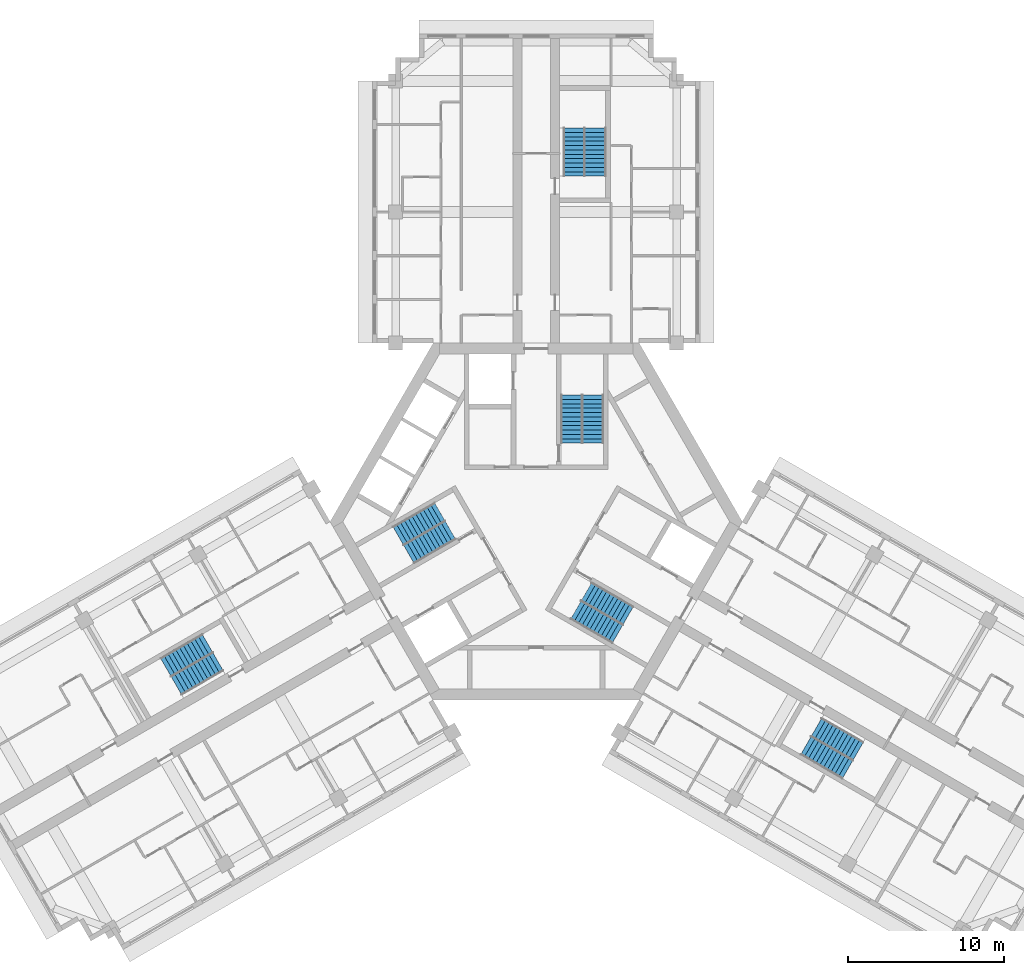
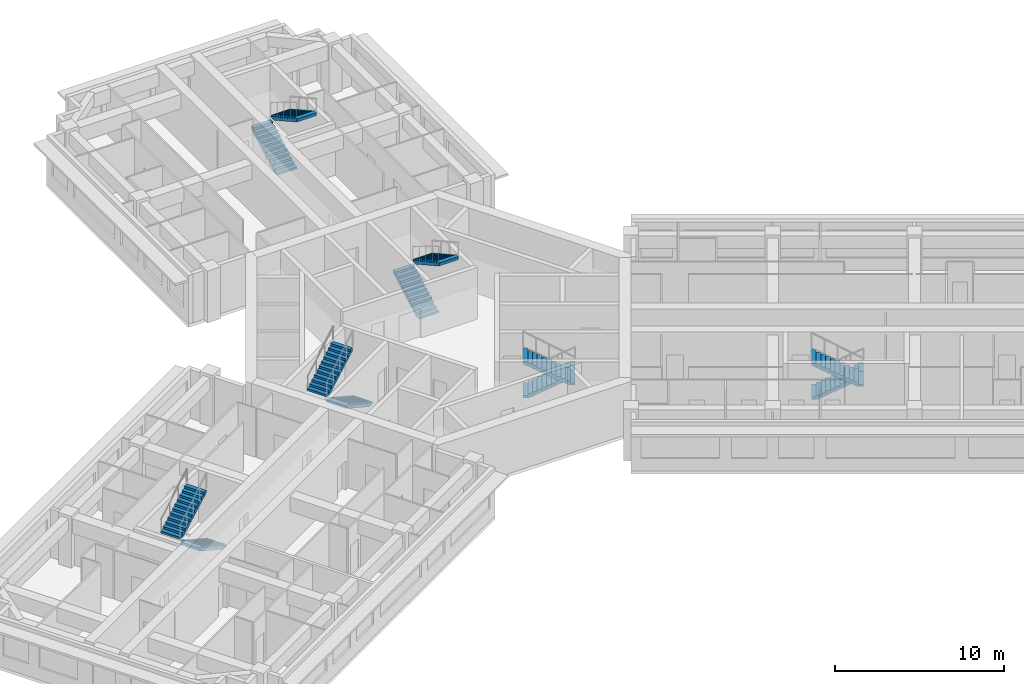
# One storey, part 10 of 11: 12 stair flights, 6 elements without a shape of their own.
"""IFC4 building model written with IfcOpenShell, lengths in metres."""

from ifc_helpers import new_model, si_unit, direction, frame, origin, place, context, subcontext, project, spatial, polyline, outline, extrude, material, type_object, element, aggregate, save


model = new_model("IFC4")

# Units and contexts
model_context = context("Model", 3, precision=1e-05, world=origin(), true_north=direction((0.0, 1.0)))
body_context = subcontext(model_context, "Body", "Model", "MODEL_VIEW")
ifc_project = project(units=[si_unit("LENGTHUNIT", "METRE"), si_unit("AREAUNIT", "SQUARE_METRE"), si_unit("VOLUMEUNIT", "CUBIC_METRE"), si_unit("PLANEANGLEUNIT", "RADIAN"), si_unit("MASSUNIT", "GRAM", prefix="KILO")], contexts=[model_context])

# Site, building, storey
site_placement = place(None, origin())
site = spatial("IfcSite", under=ifc_project, at=site_placement, CompositionType="ELEMENT")
building_placement = place(site_placement, origin())
building = spatial("IfcBuilding", under=site, at=building_placement, Name="Impinga Residences", CompositionType="ELEMENT")
storey_placement = place(building_placement, frame((0.0, 0.0, 207.25)))
storey = spatial("IfcBuildingStorey", under=building, at=storey_placement, Name="L51", CompositionType="ELEMENT", Elevation=207.25)

# Stair, stair flights
ifc_material = material(Name="Concrete C40/50", Category="concrete")
stair_type_1 = type_object("IfcStairType", Name="STR core stair 3750 storey, 24 risers", PredefinedType="HALF_TURN_STAIR", material=ifc_material)
stair_1_placement = place(storey_placement, origin())
stair_1 = element("IfcStair", 1, at=stair_1_placement, inside=storey, type_object=stair_type_1, Name="Stair ST1 L51", PredefinedType="HALF_TURN_STAIR")
stair_flight_type = type_object("IfcStairFlightType", Name="SF 12 risers of 156", PredefinedType="STRAIGHT", material=ifc_material)
stair_flight_1_placement = place(storey_placement, frame((2.27490234375, 5.030029296875, 0.0), z_axis=(0.0, 0.0, 1.0), x_axis=(0.0, 1.0, 0.0)))
stair_flight_1 = element("IfcStairFlight", 2, at=stair_flight_1_placement, type_object=stair_flight_type, Name="ST1 flight 1", NumberOfRisers=12, NumberOfTreads=11, PredefinedType="STRAIGHT", RiserHeight=0.15625, TreadLength=0.28, context=body_context, shape_type="SweptSolid", body=[
    extrude(outline(polyline([(0.0, 0.0), (0.0, 0.15625), (0.280029296875, 0.15625), (0.280029296875, 0.3125), (0.56005859375, 0.3125), (0.56005859375, 0.46875), (0.840087890625, 0.46875), (0.840087890625, 0.625), (1.1201171875, 0.625), (1.1201171875, 0.78125), (1.39990234375, 0.78125), (1.39990234375, 0.9375), (1.679931640625, 0.9375), (1.679931640625, 1.09375), (1.9599609375, 1.09375), (1.9599609375, 1.25), (2.239990234375, 1.25), (2.239990234375, 1.40625), (2.52001953125, 1.40625), (2.52001953125, 1.5625), (2.800048828125, 1.5625), (2.800048828125, 1.71875), (3.080078125, 1.71875), (3.080078125, 1.875), (3.080078125, 1.5126953125), (0.369140625, 0.0), (0.0, 0.0)])), frame((0.0, 0.675048828125, 0.0), z_axis=(0.0, -1.0, 0.0), x_axis=(1.0, 0.0, 0.0)), (0.0, 0.0, 1.0), 1.35009765625),
])
stair_flight_2_placement = place(storey_placement, frame((3.625, 8.110107421875, 1.875), z_axis=(0.0, 0.0, 1.0), x_axis=(0.0, -1.0, 0.0)))
stair_flight_2 = element("IfcStairFlight", 3, at=stair_flight_2_placement, type_object=stair_flight_type, Name="ST1 flight 2", NumberOfRisers=12, NumberOfTreads=11, PredefinedType="STRAIGHT", RiserHeight=0.15625, TreadLength=0.28, context=body_context, shape_type="SweptSolid", body=[
    extrude(outline(polyline([(0.0, 0.0), (0.0, 0.15625), (0.280029296875, 0.15625), (0.280029296875, 0.3125), (0.56005859375, 0.3125), (0.56005859375, 0.46875), (0.840087890625, 0.46875), (0.840087890625, 0.625), (1.1201171875, 0.625), (1.1201171875, 0.78125), (1.39990234375, 0.78125), (1.39990234375, 0.9375), (1.679931640625, 0.9375), (1.679931640625, 1.09375), (1.9599609375, 1.09375), (1.9599609375, 1.25), (2.239990234375, 1.25), (2.239990234375, 1.40625), (2.52001953125, 1.40625), (2.52001953125, 1.5625), (2.800048828125, 1.5625), (2.800048828125, 1.71875), (3.080078125, 1.71875), (3.080078125, 1.875), (3.080078125, 1.5126953125), (0.369140625, 0.0), (0.0, 0.0)])), frame((0.0, 0.675048828125, 0.0), z_axis=(0.0, -1.0, 0.0), x_axis=(1.0, 0.0, 0.0)), (0.0, 0.0, 1.0), 1.35009765625),
])
aggregate(stair_1, [stair_flight_1, stair_flight_2])

stair_2_placement = place(storey_placement, origin())
stair_2 = element("IfcStair", 4, at=stair_2_placement, inside=storey, type_object=stair_type_1, Name="Stair ST2 L51", PredefinedType="HALF_TURN_STAIR")
stair_flight_3_placement = place(storey_placement, frame((-5.49365234375, -0.544677734375, 0.0), z_axis=(0.0, 0.0, 1.0), x_axis=(-0.866025403784, -0.5, 0.0)))
stair_flight_3 = element("IfcStairFlight", 5, at=stair_flight_3_placement, type_object=stair_flight_type, Name="ST2 flight 1", NumberOfRisers=12, NumberOfTreads=11, PredefinedType="STRAIGHT", RiserHeight=0.15625, TreadLength=0.28, context=body_context, shape_type="SweptSolid", body=[
    extrude(outline(polyline([(0.0, 0.0), (0.0, 0.15625), (0.280029296875, 0.15625), (0.280029296875, 0.3125), (0.56005859375, 0.3125), (0.56005859375, 0.46875), (0.840087890625, 0.46875), (0.840087890625, 0.625), (1.1201171875, 0.625), (1.1201171875, 0.78125), (1.39990234375, 0.78125), (1.39990234375, 0.9375), (1.679931640625, 0.9375), (1.679931640625, 1.09375), (1.9599609375, 1.09375), (1.9599609375, 1.25), (2.239990234375, 1.25), (2.239990234375, 1.40625), (2.52001953125, 1.40625), (2.52001953125, 1.5625), (2.800048828125, 1.5625), (2.800048828125, 1.71875), (3.080078125, 1.71875), (3.080078125, 1.875), (3.080078125, 1.5126953125), (0.369140625, 0.0), (0.0, 0.0)])), frame((0.0, 0.675048828125, 0.0), z_axis=(0.0, -1.0, 0.0), x_axis=(1.0, 0.0, 0.0)), (0.0, 0.0, 1.0), 1.35009765625),
])
stair_flight_4_placement = place(storey_placement, frame((-8.8359375, -0.915771484375, 1.875), z_axis=(0.0, 0.0, 1.0), x_axis=(0.866025403784, 0.5, 0.0)))
stair_flight_4 = element("IfcStairFlight", 6, at=stair_flight_4_placement, type_object=stair_flight_type, Name="ST2 flight 2", NumberOfRisers=12, NumberOfTreads=11, PredefinedType="STRAIGHT", RiserHeight=0.15625, TreadLength=0.28, context=body_context, shape_type="SweptSolid", body=[
    extrude(outline(polyline([(0.0, 0.0), (0.0, 0.15625), (0.280029296875, 0.15625), (0.280029296875, 0.3125), (0.56005859375, 0.3125), (0.56005859375, 0.46875), (0.840087890625, 0.46875), (0.840087890625, 0.625), (1.1201171875, 0.625), (1.1201171875, 0.78125), (1.39990234375, 0.78125), (1.39990234375, 0.9375), (1.679931640625, 0.9375), (1.679931640625, 1.09375), (1.9599609375, 1.09375), (1.9599609375, 1.25), (2.239990234375, 1.25), (2.239990234375, 1.40625), (2.52001953125, 1.40625), (2.52001953125, 1.5625), (2.800048828125, 1.5625), (2.800048828125, 1.71875), (3.080078125, 1.71875), (3.080078125, 1.875), (3.080078125, 1.5126953125), (0.369140625, 0.0), (0.0, 0.0)])), frame((0.0, 0.675048828125, 0.0), z_axis=(0.0, -1.0, 0.0), x_axis=(1.0, 0.0, 0.0)), (0.0, 0.0, 1.0), 1.35009765625),
])
aggregate(stair_2, [stair_flight_3, stair_flight_4])

stair_3_placement = place(storey_placement, origin())
stair_3 = element("IfcStair", 7, at=stair_3_placement, inside=storey, type_object=stair_type_1, Name="Stair ST3 L51", PredefinedType="HALF_TURN_STAIR")
stair_flight_5_placement = place(storey_placement, frame((3.218505859375, -4.485107421875, 0.0), z_axis=(0.0, 0.0, 1.0), x_axis=(0.866025403784, -0.5, 0.0)))
stair_flight_5 = element("IfcStairFlight", 8, at=stair_flight_5_placement, type_object=stair_flight_type, Name="ST3 flight 1", NumberOfRisers=12, NumberOfTreads=11, PredefinedType="STRAIGHT", RiserHeight=0.15625, TreadLength=0.28, context=body_context, shape_type="SweptSolid", body=[
    extrude(outline(polyline([(0.0, 0.0), (0.0, 0.15625), (0.280029296875, 0.15625), (0.280029296875, 0.3125), (0.56005859375, 0.3125), (0.56005859375, 0.46875), (0.840087890625, 0.46875), (0.840087890625, 0.625), (1.1201171875, 0.625), (1.1201171875, 0.78125), (1.39990234375, 0.78125), (1.39990234375, 0.9375), (1.679931640625, 0.9375), (1.679931640625, 1.09375), (1.9599609375, 1.09375), (1.9599609375, 1.25), (2.239990234375, 1.25), (2.239990234375, 1.40625), (2.52001953125, 1.40625), (2.52001953125, 1.5625), (2.800048828125, 1.5625), (2.800048828125, 1.71875), (3.080078125, 1.71875), (3.080078125, 1.875), (3.080078125, 1.5126953125), (0.369140625, 0.0), (0.0, 0.0)])), frame((0.0, 0.675048828125, 0.0), z_axis=(0.0, -1.0, 0.0), x_axis=(1.0, 0.0, 0.0)), (0.0, 0.0, 1.0), 1.35009765625),
])
stair_flight_6_placement = place(storey_placement, frame((5.2109375, -7.1943359375, 1.875), z_axis=(0.0, 0.0, 1.0), x_axis=(-0.866025403784, 0.5, 0.0)))
stair_flight_6 = element("IfcStairFlight", 9, at=stair_flight_6_placement, type_object=stair_flight_type, Name="ST3 flight 2", NumberOfRisers=12, NumberOfTreads=11, PredefinedType="STRAIGHT", RiserHeight=0.15625, TreadLength=0.28, context=body_context, shape_type="SweptSolid", body=[
    extrude(outline(polyline([(0.0, 0.0), (0.0, 0.15625), (0.280029296875, 0.15625), (0.280029296875, 0.3125), (0.56005859375, 0.3125), (0.56005859375, 0.46875), (0.840087890625, 0.46875), (0.840087890625, 0.625), (1.1201171875, 0.625), (1.1201171875, 0.78125), (1.39990234375, 0.78125), (1.39990234375, 0.9375), (1.679931640625, 0.9375), (1.679931640625, 1.09375), (1.9599609375, 1.09375), (1.9599609375, 1.25), (2.239990234375, 1.25), (2.239990234375, 1.40625), (2.52001953125, 1.40625), (2.52001953125, 1.5625), (2.800048828125, 1.5625), (2.800048828125, 1.71875), (3.080078125, 1.71875), (3.080078125, 1.875), (3.080078125, 1.5126953125), (0.369140625, 0.0), (0.0, 0.0)])), frame((0.0, 0.675048828125, 0.0), z_axis=(0.0, -1.0, 0.0), x_axis=(1.0, 0.0, 0.0)), (0.0, 0.0, 1.0), 1.35009765625),
])
aggregate(stair_3, [stair_flight_5, stair_flight_6])

stair_type_2 = type_object("IfcStairType", Name="STR wing stair 3750 storey, 24 risers", PredefinedType="HALF_TURN_STAIR", material=ifc_material)
stair_4_placement = place(storey_placement, origin())
stair_4 = element("IfcStair", 10, at=stair_4_placement, inside=storey, type_object=stair_type_2, Name="Stair WS1 L51", PredefinedType="HALF_TURN_STAIR")
stair_flight_7_placement = place(storey_placement, frame((2.425048828125, 22.131591796875, 0.0), z_axis=(0.0, 0.0, 1.0), x_axis=(0.0, 1.0, 0.0)))
stair_flight_7 = element("IfcStairFlight", 11, at=stair_flight_7_placement, type_object=stair_flight_type, Name="WS1 flight 1", NumberOfRisers=12, NumberOfTreads=11, PredefinedType="STRAIGHT", RiserHeight=0.15625, TreadLength=0.28, context=body_context, shape_type="SweptSolid", body=[
    extrude(outline(polyline([(0.0, 0.0), (0.0, 0.15625), (0.280029296875, 0.15625), (0.280029296875, 0.3125), (0.56005859375, 0.3125), (0.56005859375, 0.46875), (0.840087890625, 0.46875), (0.840087890625, 0.625), (1.1201171875, 0.625), (1.1201171875, 0.78125), (1.39990234375, 0.78125), (1.39990234375, 0.9375), (1.679931640625, 0.9375), (1.679931640625, 1.09375), (1.9599609375, 1.09375), (1.9599609375, 1.25), (2.239990234375, 1.25), (2.239990234375, 1.40625), (2.52001953125, 1.40625), (2.52001953125, 1.5625), (2.800048828125, 1.5625), (2.800048828125, 1.71875), (3.080078125, 1.71875), (3.080078125, 1.875), (3.080078125, 1.5126953125), (0.369140625, 0.0), (0.0, 0.0)])), frame((0.0, 0.675048828125, 0.0), z_axis=(0.0, -1.0, 0.0), x_axis=(1.0, 0.0, 0.0)), (0.0, 0.0, 1.0), 1.35009765625),
])
stair_flight_8_placement = place(storey_placement, frame((3.77490234375, 25.21142578125, 1.875), z_axis=(0.0, 0.0, 1.0), x_axis=(0.0, -1.0, 0.0)))
stair_flight_8 = element("IfcStairFlight", 12, at=stair_flight_8_placement, type_object=stair_flight_type, Name="WS1 flight 2", NumberOfRisers=12, NumberOfTreads=11, PredefinedType="STRAIGHT", RiserHeight=0.15625, TreadLength=0.28, context=body_context, shape_type="SweptSolid", body=[
    extrude(outline(polyline([(0.0, 0.0), (0.0, 0.15625), (0.280029296875, 0.15625), (0.280029296875, 0.3125), (0.56005859375, 0.3125), (0.56005859375, 0.46875), (0.840087890625, 0.46875), (0.840087890625, 0.625), (1.1201171875, 0.625), (1.1201171875, 0.78125), (1.39990234375, 0.78125), (1.39990234375, 0.9375), (1.679931640625, 0.9375), (1.679931640625, 1.09375), (1.9599609375, 1.09375), (1.9599609375, 1.25), (2.239990234375, 1.25), (2.239990234375, 1.40625), (2.52001953125, 1.40625), (2.52001953125, 1.5625), (2.800048828125, 1.5625), (2.800048828125, 1.71875), (3.080078125, 1.71875), (3.080078125, 1.875), (3.080078125, 1.5126953125), (0.369140625, 0.0), (0.0, 0.0)])), frame((0.0, 0.675048828125, 0.0), z_axis=(0.0, -1.0, 0.0), x_axis=(1.0, 0.0, 0.0)), (0.0, 0.0, 1.0), 1.35009765625),
])
aggregate(stair_4, [stair_flight_7, stair_flight_8])

stair_5_placement = place(storey_placement, origin())
stair_5 = element("IfcStair", 13, at=stair_5_placement, inside=storey, type_object=stair_type_2, Name="Stair WS2 L51", PredefinedType="HALF_TURN_STAIR")
stair_flight_9_placement = place(storey_placement, frame((-20.37890625, -8.965576171875, 0.0), z_axis=(0.0, 0.0, 1.0), x_axis=(-0.866025403784, -0.5, 0.0)))
stair_flight_9 = element("IfcStairFlight", 14, at=stair_flight_9_placement, type_object=stair_flight_type, Name="WS2 flight 1", NumberOfRisers=12, NumberOfTreads=11, PredefinedType="STRAIGHT", RiserHeight=0.15625, TreadLength=0.28, context=body_context, shape_type="SweptSolid", body=[
    extrude(outline(polyline([(0.0, 0.0), (0.0, 0.15625), (0.280029296875, 0.15625), (0.280029296875, 0.3125), (0.56005859375, 0.3125), (0.56005859375, 0.46875), (0.840087890625, 0.46875), (0.840087890625, 0.625), (1.1201171875, 0.625), (1.1201171875, 0.78125), (1.39990234375, 0.78125), (1.39990234375, 0.9375), (1.679931640625, 0.9375), (1.679931640625, 1.09375), (1.9599609375, 1.09375), (1.9599609375, 1.25), (2.239990234375, 1.25), (2.239990234375, 1.40625), (2.52001953125, 1.40625), (2.52001953125, 1.5625), (2.800048828125, 1.5625), (2.800048828125, 1.71875), (3.080078125, 1.71875), (3.080078125, 1.875), (3.080078125, 1.5126953125), (0.369140625, 0.0), (0.0, 0.0)])), frame((0.0, 0.675048828125, 0.0), z_axis=(0.0, -1.0, 0.0), x_axis=(1.0, 0.0, 0.0)), (0.0, 0.0, 1.0), 1.35009765625),
])
stair_flight_10_placement = place(storey_placement, frame((-23.721435546875, -9.33642578125, 1.875), z_axis=(0.0, 0.0, 1.0), x_axis=(0.866025403784, 0.5, 0.0)))
stair_flight_10 = element("IfcStairFlight", 15, at=stair_flight_10_placement, type_object=stair_flight_type, Name="WS2 flight 2", NumberOfRisers=12, NumberOfTreads=11, PredefinedType="STRAIGHT", RiserHeight=0.15625, TreadLength=0.28, context=body_context, shape_type="SweptSolid", body=[
    extrude(outline(polyline([(0.0, 0.0), (0.0, 0.15625), (0.280029296875, 0.15625), (0.280029296875, 0.3125), (0.56005859375, 0.3125), (0.56005859375, 0.46875), (0.840087890625, 0.46875), (0.840087890625, 0.625), (1.1201171875, 0.625), (1.1201171875, 0.78125), (1.39990234375, 0.78125), (1.39990234375, 0.9375), (1.679931640625, 0.9375), (1.679931640625, 1.09375), (1.9599609375, 1.09375), (1.9599609375, 1.25), (2.239990234375, 1.25), (2.239990234375, 1.40625), (2.52001953125, 1.40625), (2.52001953125, 1.5625), (2.800048828125, 1.5625), (2.800048828125, 1.71875), (3.080078125, 1.71875), (3.080078125, 1.875), (3.080078125, 1.5126953125), (0.369140625, 0.0), (0.0, 0.0)])), frame((0.0, 0.675048828125, 0.0), z_axis=(0.0, -1.0, 0.0), x_axis=(1.0, 0.0, 0.0)), (0.0, 0.0, 1.0), 1.35009765625),
])
aggregate(stair_5, [stair_flight_9, stair_flight_10])

stair_6_placement = place(storey_placement, origin())
stair_6 = element("IfcStair", 16, at=stair_6_placement, inside=storey, type_object=stair_type_2, Name="Stair WS3 L51", PredefinedType="HALF_TURN_STAIR")
stair_flight_11_placement = place(storey_placement, frame((17.953857421875, -13.165771484375, 0.0), z_axis=(0.0, 0.0, 1.0), x_axis=(0.866025403784, -0.5, 0.0)))
stair_flight_11 = element("IfcStairFlight", 17, at=stair_flight_11_placement, type_object=stair_flight_type, Name="WS3 flight 1", NumberOfRisers=12, NumberOfTreads=11, PredefinedType="STRAIGHT", RiserHeight=0.15625, TreadLength=0.28, context=body_context, shape_type="SweptSolid", body=[
    extrude(outline(polyline([(0.0, 0.0), (0.0, 0.15625), (0.280029296875, 0.15625), (0.280029296875, 0.3125), (0.56005859375, 0.3125), (0.56005859375, 0.46875), (0.840087890625, 0.46875), (0.840087890625, 0.625), (1.1201171875, 0.625), (1.1201171875, 0.78125), (1.39990234375, 0.78125), (1.39990234375, 0.9375), (1.679931640625, 0.9375), (1.679931640625, 1.09375), (1.9599609375, 1.09375), (1.9599609375, 1.25), (2.239990234375, 1.25), (2.239990234375, 1.40625), (2.52001953125, 1.40625), (2.52001953125, 1.5625), (2.800048828125, 1.5625), (2.800048828125, 1.71875), (3.080078125, 1.71875), (3.080078125, 1.875), (3.080078125, 1.5126953125), (0.369140625, 0.0), (0.0, 0.0)])), frame((0.0, 0.675048828125, 0.0), z_axis=(0.0, -1.0, 0.0), x_axis=(1.0, 0.0, 0.0)), (0.0, 0.0, 1.0), 1.35009765625),
])
stair_flight_12_placement = place(storey_placement, frame((19.9462890625, -15.875, 1.875), z_axis=(0.0, 0.0, 1.0), x_axis=(-0.866025403784, 0.5, 0.0)))
stair_flight_12 = element("IfcStairFlight", 18, at=stair_flight_12_placement, type_object=stair_flight_type, Name="WS3 flight 2", NumberOfRisers=12, NumberOfTreads=11, PredefinedType="STRAIGHT", RiserHeight=0.15625, TreadLength=0.28, context=body_context, shape_type="SweptSolid", body=[
    extrude(outline(polyline([(0.0, 0.0), (0.0, 0.15625), (0.280029296875, 0.15625), (0.280029296875, 0.3125), (0.56005859375, 0.3125), (0.56005859375, 0.46875), (0.840087890625, 0.46875), (0.840087890625, 0.625), (1.1201171875, 0.625), (1.1201171875, 0.78125), (1.39990234375, 0.78125), (1.39990234375, 0.9375), (1.679931640625, 0.9375), (1.679931640625, 1.09375), (1.9599609375, 1.09375), (1.9599609375, 1.25), (2.239990234375, 1.25), (2.239990234375, 1.40625), (2.52001953125, 1.40625), (2.52001953125, 1.5625), (2.800048828125, 1.5625), (2.800048828125, 1.71875), (3.080078125, 1.71875), (3.080078125, 1.875), (3.080078125, 1.5126953125), (0.369140625, 0.0), (0.0, 0.0)])), frame((0.0, 0.675048828125, 0.0), z_axis=(0.0, -1.0, 0.0), x_axis=(1.0, 0.0, 0.0)), (0.0, 0.0, 1.0), 1.35009765625),
])
aggregate(stair_6, [stair_flight_11, stair_flight_12])

save(model, "model.ifc")
